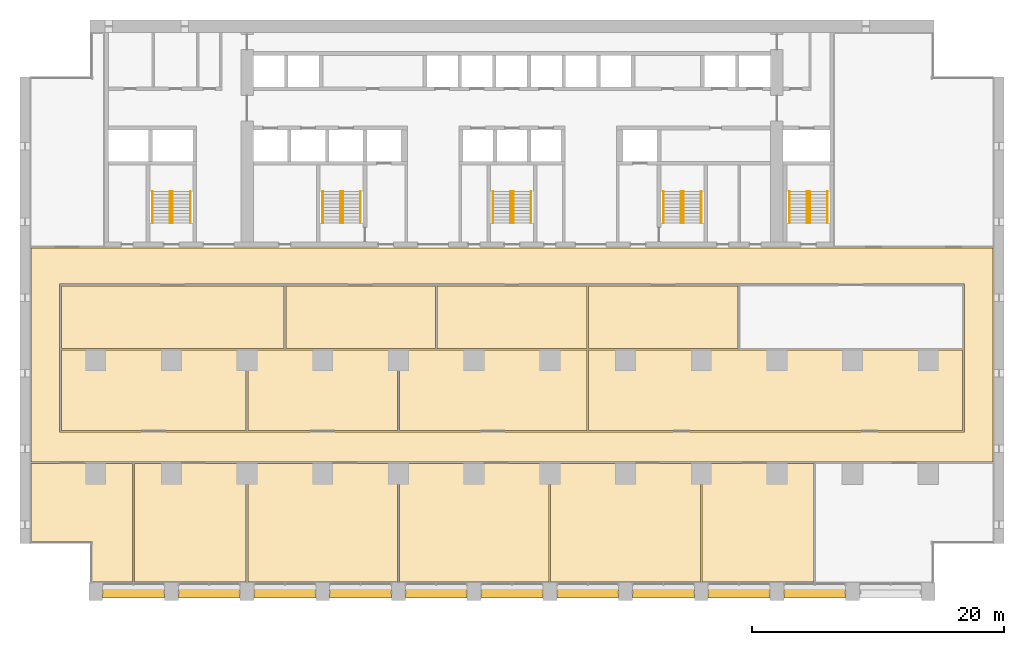
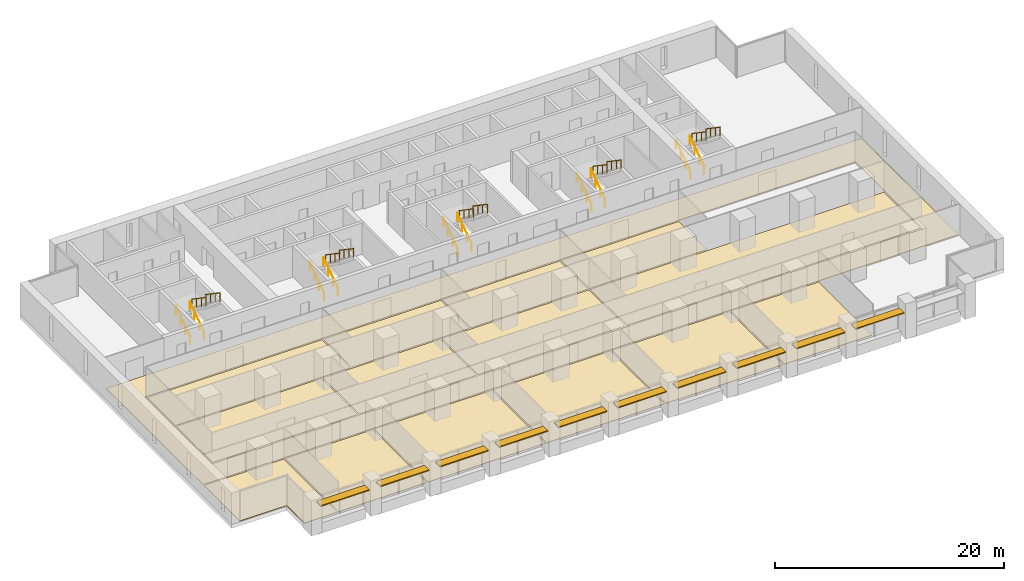
# One storey, part 17 of 18: 20 railings, 15 coverings, 10 shading devices, 5 elements without a shape of their own.
"""IFC4 building model written with IfcOpenShell, lengths in metres."""

from ifc_helpers import new_model, si_unit, direction, frame, origin, origin_2d, place, context, subcontext, project, spatial, polyline, rectangle, circle, outline, extrude, material, layer, layer_set, material_profile, profile_set, type_object, element, aggregate, save


model = new_model("IFC4")

# Units and contexts
model_context = context("Model", 3, precision=1e-05, world=origin(), true_north=direction((0.0, 1.0)))
body_context = subcontext(model_context, "Body", "Model", "MODEL_VIEW")
ifc_project = project(units=[si_unit("LENGTHUNIT", "METRE"), si_unit("AREAUNIT", "SQUARE_METRE"), si_unit("VOLUMEUNIT", "CUBIC_METRE"), si_unit("PLANEANGLEUNIT", "RADIAN"), si_unit("MASSUNIT", "GRAM", prefix="KILO")], contexts=[model_context])

# Site, building, storey
site_placement = place(None, origin())
site = spatial("IfcSite", under=ifc_project, at=site_placement, CompositionType="ELEMENT")
building_placement = place(site_placement, origin())
building = spatial("IfcBuilding", under=site, at=building_placement, Name="Calvaro Tower", CompositionType="ELEMENT")
storey_placement = place(building_placement, frame((0.0, 0.0, 56.25)))
storey = spatial("IfcBuildingStorey", under=building, at=storey_placement, Name="L13", CompositionType="ELEMENT", Elevation=56.25)

# Shading devices
ifc_material_1 = material(Name="Anodised aluminium", Category="aluminium")
ifc_material_profile = material_profile(ifc_material_1, rectangle(XDim=0.800048828125, YDim=0.10009765625, at=origin_2d()), Name="Brise-soleil blade 800 x 100")
ifc_profile_set = profile_set([ifc_material_profile], Name="Anodised aluminium")
shading_device_type = type_object("IfcShadingDeviceType", Name="Brise-soleil blade 800 x 100", PredefinedType="JALOUSIE", material=ifc_profile_set)
for number, where, z_axis, x_axis, name in (
    (1, (6.550048828125, 0.60009765625, 2.300048828125), (1.0, 0.0, 0.0), (0.0, 1.0, 0.0), "Brise-soleil blade 1"),
    (2, (12.550048828125, 0.60009765625, 2.300048828125), (1.0, 0.0, 0.0), (0.0, 1.0, 0.0), "Brise-soleil blade 2"),
    (3, (18.550048828125, 0.60009765625, 2.300048828125), (1.0, 0.0, 0.0), (0.0, 1.0, 0.0), "Brise-soleil blade 3"),
    (4, (24.550048828125, 0.60009765625, 2.300048828125), (1.0, 0.0, 0.0), (0.0, 1.0, 0.0), "Brise-soleil blade 4"),
    (5, (30.550048828125, 0.60009765625, 2.300048828125), (1.0, 0.0, 0.0), (0.0, 1.0, 0.0), "Brise-soleil blade 5"),
    (6, (36.550048828125, 0.60009765625, 2.300048828125), (1.0, 0.0, 0.0), (0.0, 1.0, 0.0), "Brise-soleil blade 6"),
    (7, (42.550048828125, 0.60009765625, 2.300048828125), (1.0, 0.0, 0.0), (0.0, 1.0, 0.0), "Brise-soleil blade 7"),
    (8, (48.550048828125, 0.60009765625, 2.300048828125), (1.0, 0.0, 0.0), (0.0, 1.0, 0.0), "Brise-soleil blade 8"),
    (9, (54.550048828125, 0.60009765625, 2.300048828125), (1.0, 0.0, 0.0), (0.0, 1.0, 0.0), "Brise-soleil blade 9"),
    (10, (60.550048828125, 0.60009765625, 2.300048828125), (1.0, 0.0, 0.0), (0.0, 1.0, 0.0), "Brise-soleil blade 10"),
):
    element("IfcShadingDevice", number, at=place(storey_placement, frame(where, z_axis=z_axis, x_axis=x_axis)), inside=storey, type_object=shading_device_type, Name=name, PredefinedType="JALOUSIE", context=body_context, shape_type="SweptSolid", body=[
        extrude(rectangle(XDim=0.800048828125, YDim=0.10009765625, at=origin_2d()), origin(), (0.0, 0.0, 1.0), 4.89990234375),
    ])

# Coverings
ifc_material_2 = material(Name="Cement screed with carpet tile finish")
ifc_layer = layer(ifc_material_2, 0.050048828125)
ifc_layer_set = layer_set([ifc_layer], Name="Cement screed with carpet tile finish")
covering_type = type_object("IfcCoveringType", Name="Floor finish 50", PredefinedType="FLOORING", material=ifc_layer_set)
covering_1_placement = place(storey_placement, origin())
element("IfcCovering", 11, at=covering_1_placement, inside=storey, type_object=covering_type, Name="Floor finish 11.01", PredefinedType="FLOORING", context=body_context, shape_type="SweptSolid", body=[
    extrude(outline(polyline([(0.8701171875, 10.969970703125), (0.8701171875, 27.929931640625), (77.1298828125, 27.929931640625), (77.1298828125, 10.969970703125), (0.8701171875, 10.969970703125)]), holes=[polyline([(74.8701171875, 13.330078125), (74.8701171875, 25.070068359375), (3.1298828125, 25.070068359375), (3.1298828125, 13.330078125), (74.8701171875, 13.330078125)])]), origin(), (0.0, 0.0, 1.0), 0.050048828125),
])
covering_2_placement = place(storey_placement, origin())
element("IfcCovering", 12, at=covering_2_placement, inside=storey, type_object=covering_type, Name="Floor finish 11.08", PredefinedType="FLOORING", context=body_context, shape_type="SweptSolid", body=[
    extrude(outline(polyline([(8.929931640625, 10.830078125), (8.929931640625, 1.469970703125), (5.6201171875, 1.469970703125), (5.6201171875, 4.570068359375), (0.8701171875, 4.570068359375), (0.8701171875, 10.830078125), (8.929931640625, 10.830078125)])), origin(), (0.0, 0.0, 1.0), 0.050048828125),
])
covering_3_placement = place(storey_placement, origin())
element("IfcCovering", 13, at=covering_3_placement, inside=storey, type_object=covering_type, Name="Floor finish 11.02", PredefinedType="FLOORING", context=body_context, shape_type="SweptSolid", body=[
    extrude(outline(polyline([(9.070068359375, 10.830078125), (17.929931640625, 10.830078125), (17.929931640625, 1.469970703125), (9.070068359375, 1.469970703125), (9.070068359375, 10.830078125)])), origin(), (0.0, 0.0, 1.0), 0.050048828125),
])
covering_4_placement = place(storey_placement, origin())
element("IfcCovering", 14, at=covering_4_placement, inside=storey, type_object=covering_type, Name="Floor finish 11.04", PredefinedType="FLOORING", context=body_context, shape_type="SweptSolid", body=[
    extrude(outline(polyline([(18.070068359375, 10.830078125), (29.929931640625, 10.830078125), (29.929931640625, 1.469970703125), (18.070068359375, 1.469970703125), (18.070068359375, 10.830078125)])), origin(), (0.0, 0.0, 1.0), 0.050048828125),
])
covering_5_placement = place(storey_placement, origin())
element("IfcCovering", 15, at=covering_5_placement, inside=storey, type_object=covering_type, Name="Floor finish 11.05", PredefinedType="FLOORING", context=body_context, shape_type="SweptSolid", body=[
    extrude(outline(polyline([(30.070068359375, 10.830078125), (41.929931640625, 10.830078125), (41.929931640625, 1.469970703125), (30.070068359375, 1.469970703125), (30.070068359375, 10.830078125)])), origin(), (0.0, 0.0, 1.0), 0.050048828125),
])
covering_6_placement = place(storey_placement, origin())
element("IfcCovering", 16, at=covering_6_placement, inside=storey, type_object=covering_type, Name="Floor finish 11.06", PredefinedType="FLOORING", context=body_context, shape_type="SweptSolid", body=[
    extrude(outline(polyline([(42.070068359375, 10.830078125), (53.929931640625, 10.830078125), (53.929931640625, 1.469970703125), (42.070068359375, 1.469970703125), (42.070068359375, 10.830078125)])), origin(), (0.0, 0.0, 1.0), 0.050048828125),
])
covering_7_placement = place(storey_placement, origin())
element("IfcCovering", 17, at=covering_7_placement, inside=storey, type_object=covering_type, Name="Floor finish 11.03", PredefinedType="FLOORING", context=body_context, shape_type="SweptSolid", body=[
    extrude(outline(polyline([(54.070068359375, 10.830078125), (62.929931640625, 10.830078125), (62.929931640625, 1.469970703125), (54.070068359375, 1.469970703125), (54.070068359375, 10.830078125)])), origin(), (0.0, 0.0, 1.0), 0.050048828125),
])
covering_8_placement = place(storey_placement, origin())
element("IfcCovering", 18, at=covering_8_placement, inside=storey, type_object=covering_type, Name="Floor finish 11.09", PredefinedType="FLOORING", context=body_context, shape_type="SweptSolid", body=[
    extrude(outline(polyline([(3.27001953125, 13.469970703125), (3.27001953125, 19.830078125), (17.929931640625, 19.830078125), (17.929931640625, 13.469970703125), (3.27001953125, 13.469970703125)])), origin(), (0.0, 0.0, 1.0), 0.050048828125),
])
covering_9_placement = place(storey_placement, origin())
element("IfcCovering", 19, at=covering_9_placement, inside=storey, type_object=covering_type, Name="Floor finish 11.12", PredefinedType="FLOORING", context=body_context, shape_type="SweptSolid", body=[
    extrude(outline(polyline([(18.070068359375, 13.469970703125), (18.070068359375, 19.830078125), (29.929931640625, 19.830078125), (29.929931640625, 13.469970703125), (18.070068359375, 13.469970703125)])), origin(), (0.0, 0.0, 1.0), 0.050048828125),
])
covering_10_placement = place(storey_placement, origin())
element("IfcCovering", 20, at=covering_10_placement, inside=storey, type_object=covering_type, Name="Floor finish 11.10", PredefinedType="FLOORING", context=body_context, shape_type="SweptSolid", body=[
    extrude(outline(polyline([(30.070068359375, 13.469970703125), (30.070068359375, 19.830078125), (44.929931640625, 19.830078125), (44.929931640625, 13.469970703125), (30.070068359375, 13.469970703125)])), origin(), (0.0, 0.0, 1.0), 0.050048828125),
])
covering_11_placement = place(storey_placement, origin())
element("IfcCovering", 21, at=covering_11_placement, inside=storey, type_object=covering_type, Name="Floor finish 11.11", PredefinedType="FLOORING", context=body_context, shape_type="SweptSolid", body=[
    extrude(outline(polyline([(45.070068359375, 13.469970703125), (45.070068359375, 19.830078125), (74.72998046875, 19.830078125), (74.72998046875, 13.469970703125), (45.070068359375, 13.469970703125)])), origin(), (0.0, 0.0, 1.0), 0.050048828125),
])
covering_12_placement = place(storey_placement, origin())
element("IfcCovering", 22, at=covering_12_placement, inside=storey, type_object=covering_type, Name="Floor finish 11.13", PredefinedType="FLOORING", context=body_context, shape_type="SweptSolid", body=[
    extrude(outline(polyline([(3.27001953125, 19.969970703125), (3.27001953125, 24.929931640625), (20.929931640625, 24.929931640625), (20.929931640625, 19.969970703125), (3.27001953125, 19.969970703125)])), origin(), (0.0, 0.0, 1.0), 0.050048828125),
])
covering_13_placement = place(storey_placement, origin())
element("IfcCovering", 23, at=covering_13_placement, inside=storey, type_object=covering_type, Name="Floor finish 11.15", PredefinedType="FLOORING", context=body_context, shape_type="SweptSolid", body=[
    extrude(outline(polyline([(21.070068359375, 19.969970703125), (21.070068359375, 24.929931640625), (32.929931640625, 24.929931640625), (32.929931640625, 19.969970703125), (21.070068359375, 19.969970703125)])), origin(), (0.0, 0.0, 1.0), 0.050048828125),
])
covering_14_placement = place(storey_placement, origin())
element("IfcCovering", 24, at=covering_14_placement, inside=storey, type_object=covering_type, Name="Floor finish 11.16", PredefinedType="FLOORING", context=body_context, shape_type="SweptSolid", body=[
    extrude(outline(polyline([(33.070068359375, 19.969970703125), (33.070068359375, 24.929931640625), (44.929931640625, 24.929931640625), (44.929931640625, 19.969970703125), (33.070068359375, 19.969970703125)])), origin(), (0.0, 0.0, 1.0), 0.050048828125),
])
covering_15_placement = place(storey_placement, origin())
element("IfcCovering", 25, at=covering_15_placement, inside=storey, type_object=covering_type, Name="Floor finish 11.17", PredefinedType="FLOORING", context=body_context, shape_type="SweptSolid", body=[
    extrude(outline(polyline([(45.070068359375, 19.969970703125), (45.070068359375, 24.929931640625), (56.929931640625, 24.929931640625), (56.929931640625, 19.969970703125), (45.070068359375, 19.969970703125)])), origin(), (0.0, 0.0, 1.0), 0.050048828125),
])

# Stair, railings
ifc_material_3 = material(Name="Concrete C40/50", Category="concrete")
stair_type = type_object("IfcStairType", Name="Exit stair 1400 2 flights", PredefinedType="HALF_TURN_STAIR", material=ifc_material_3)
stair_1_placement = place(storey_placement, origin())
stair_1 = element("IfcStair", 26, at=stair_1_placement, inside=storey, type_object=stair_type, Name="Exit stair S1", PredefinedType="HALF_TURN_STAIR")
ifc_material_4 = material(Name="Stainless steel", Category="steel")
railing_type = type_object("IfcRailingType", Name="Stair handrail", PredefinedType="HANDRAIL", material=ifc_material_4)
railing_1_placement = place(storey_placement, frame((11.89990234375, 29.89990234375, 0.17041015625)))
railing_1 = element("IfcRailing", 27, at=railing_1_placement, type_object=railing_type, Name="Exit stair 1 handrail", PredefinedType="HANDRAIL", context=body_context, shape_type="SweptSolid", body=[
    extrude(circle(Radius=0.02392578125, at=origin_2d()), frame((0.0, 0.0, 0.8759765625), z_axis=(0.0, 0.826220514629, 0.563346839174), x_axis=(-1.0, 0.0, 0.0)), (0.0, 0.0, 1.0), 3.02587890625),
    extrude(circle(Radius=0.02099609375, at=origin_2d()), frame((0.0, 0.017333984375, 0.01171875)), (0.0, 0.0, 1.0), 0.851806640625),
    extrude(circle(Radius=0.02099609375, at=origin_2d()), frame((0.0, 0.833251953125, 0.568115234375)), (0.0, 0.0, 1.0), 0.851806640625),
    extrude(circle(Radius=0.02099609375, at=origin_2d()), frame((0.0, 1.666748046875, 1.136474609375)), (0.0, 0.0, 1.0), 0.851806640625),
    extrude(circle(Radius=0.02099609375, at=origin_2d()), frame((0.0, 2.482666015625, 1.69287109375)), (0.0, 0.0, 1.0), 0.851806640625),
])
railing_2_placement = place(storey_placement, frame((10.5, 29.89990234375, 0.17041015625)))
railing_2 = element("IfcRailing", 28, at=railing_2_placement, type_object=railing_type, Name="Exit stair 1 handrail", PredefinedType="HANDRAIL", context=body_context, shape_type="SweptSolid", body=[
    extrude(circle(Radius=0.02392578125, at=origin_2d()), frame((0.0, 0.0, 0.8759765625), z_axis=(0.0, 0.826220514629, 0.563346839174), x_axis=(-1.0, 0.0, 0.0)), (0.0, 0.0, 1.0), 3.02587890625),
    extrude(circle(Radius=0.02099609375, at=origin_2d()), frame((0.0, 0.017333984375, 0.01171875)), (0.0, 0.0, 1.0), 0.851806640625),
    extrude(circle(Radius=0.02099609375, at=origin_2d()), frame((0.0, 0.833251953125, 0.568115234375)), (0.0, 0.0, 1.0), 0.851806640625),
    extrude(circle(Radius=0.02099609375, at=origin_2d()), frame((0.0, 1.666748046875, 1.136474609375)), (0.0, 0.0, 1.0), 0.851806640625),
    extrude(circle(Radius=0.02099609375, at=origin_2d()), frame((0.0, 2.482666015625, 1.69287109375)), (0.0, 0.0, 1.0), 0.851806640625),
])
railing_3_placement = place(storey_placement, frame((12.10009765625, 32.39990234375, 2.04541015625)))
railing_3 = element("IfcRailing", 29, at=railing_3_placement, type_object=railing_type, Name="Exit stair 1 handrail", PredefinedType="HANDRAIL", context=body_context, shape_type="SweptSolid", body=[
    extrude(circle(Radius=0.02392578125, at=origin_2d()), frame((0.0, 0.0, 0.8759765625), z_axis=(0.0, -0.826220514629, 0.563346839174), x_axis=(1.0, 0.0, 0.0)), (0.0, 0.0, 1.0), 3.02587890625),
    extrude(circle(Radius=0.02099609375, at=origin_2d()), frame((0.0, -0.017333984375, 0.01171875)), (0.0, 0.0, 1.0), 0.851806640625),
    extrude(circle(Radius=0.02099609375, at=origin_2d()), frame((0.0, -0.833251953125, 0.568115234375)), (0.0, 0.0, 1.0), 0.851806640625),
    extrude(circle(Radius=0.02099609375, at=origin_2d()), frame((0.0, -1.666748046875, 1.136474609375)), (0.0, 0.0, 1.0), 0.851806640625),
    extrude(circle(Radius=0.02099609375, at=origin_2d()), frame((0.0, -2.482666015625, 1.69287109375)), (0.0, 0.0, 1.0), 0.851806640625),
])
railing_4_placement = place(storey_placement, frame((13.5, 32.39990234375, 2.04541015625)))
railing_4 = element("IfcRailing", 30, at=railing_4_placement, type_object=railing_type, Name="Exit stair 1 handrail", PredefinedType="HANDRAIL", context=body_context, shape_type="SweptSolid", body=[
    extrude(circle(Radius=0.02392578125, at=origin_2d()), frame((0.0, 0.0, 0.8759765625), z_axis=(0.0, -0.826220514629, 0.563346839174), x_axis=(1.0, 0.0, 0.0)), (0.0, 0.0, 1.0), 3.02587890625),
    extrude(circle(Radius=0.02099609375, at=origin_2d()), frame((0.0, -0.017333984375, 0.01171875)), (0.0, 0.0, 1.0), 0.851806640625),
    extrude(circle(Radius=0.02099609375, at=origin_2d()), frame((0.0, -0.833251953125, 0.568115234375)), (0.0, 0.0, 1.0), 0.851806640625),
    extrude(circle(Radius=0.02099609375, at=origin_2d()), frame((0.0, -1.666748046875, 1.136474609375)), (0.0, 0.0, 1.0), 0.851806640625),
    extrude(circle(Radius=0.02099609375, at=origin_2d()), frame((0.0, -2.482666015625, 1.69287109375)), (0.0, 0.0, 1.0), 0.851806640625),
])
aggregate(stair_1, [railing_1, railing_2, railing_3, railing_4])

stair_2_placement = place(storey_placement, origin())
stair_2 = element("IfcStair", 31, at=stair_2_placement, inside=storey, type_object=stair_type, Name="Exit stair S2", PredefinedType="HALF_TURN_STAIR")
railing_5_placement = place(storey_placement, frame((25.39990234375, 29.89990234375, 0.17041015625)))
railing_5 = element("IfcRailing", 32, at=railing_5_placement, type_object=railing_type, Name="Exit stair 2 handrail", PredefinedType="HANDRAIL", context=body_context, shape_type="SweptSolid", body=[
    extrude(circle(Radius=0.02392578125, at=origin_2d()), frame((0.0, 0.0, 0.8759765625), z_axis=(0.0, 0.826220514629, 0.563346839174), x_axis=(-1.0, 0.0, 0.0)), (0.0, 0.0, 1.0), 3.02587890625),
    extrude(circle(Radius=0.02099609375, at=origin_2d()), frame((0.0, 0.017333984375, 0.01171875)), (0.0, 0.0, 1.0), 0.851806640625),
    extrude(circle(Radius=0.02099609375, at=origin_2d()), frame((0.0, 0.833251953125, 0.568115234375)), (0.0, 0.0, 1.0), 0.851806640625),
    extrude(circle(Radius=0.02099609375, at=origin_2d()), frame((0.0, 1.666748046875, 1.136474609375)), (0.0, 0.0, 1.0), 0.851806640625),
    extrude(circle(Radius=0.02099609375, at=origin_2d()), frame((0.0, 2.482666015625, 1.69287109375)), (0.0, 0.0, 1.0), 0.851806640625),
])
railing_6_placement = place(storey_placement, frame((24.0, 29.89990234375, 0.17041015625)))
railing_6 = element("IfcRailing", 33, at=railing_6_placement, type_object=railing_type, Name="Exit stair 2 handrail", PredefinedType="HANDRAIL", context=body_context, shape_type="SweptSolid", body=[
    extrude(circle(Radius=0.02392578125, at=origin_2d()), frame((0.0, 0.0, 0.8759765625), z_axis=(0.0, 0.826220514629, 0.563346839174), x_axis=(-1.0, 0.0, 0.0)), (0.0, 0.0, 1.0), 3.02587890625),
    extrude(circle(Radius=0.02099609375, at=origin_2d()), frame((0.0, 0.017333984375, 0.01171875)), (0.0, 0.0, 1.0), 0.851806640625),
    extrude(circle(Radius=0.02099609375, at=origin_2d()), frame((0.0, 0.833251953125, 0.568115234375)), (0.0, 0.0, 1.0), 0.851806640625),
    extrude(circle(Radius=0.02099609375, at=origin_2d()), frame((0.0, 1.666748046875, 1.136474609375)), (0.0, 0.0, 1.0), 0.851806640625),
    extrude(circle(Radius=0.02099609375, at=origin_2d()), frame((0.0, 2.482666015625, 1.69287109375)), (0.0, 0.0, 1.0), 0.851806640625),
])
railing_7_placement = place(storey_placement, frame((25.60009765625, 32.39990234375, 2.04541015625)))
railing_7 = element("IfcRailing", 34, at=railing_7_placement, type_object=railing_type, Name="Exit stair 2 handrail", PredefinedType="HANDRAIL", context=body_context, shape_type="SweptSolid", body=[
    extrude(circle(Radius=0.02392578125, at=origin_2d()), frame((0.0, 0.0, 0.8759765625), z_axis=(0.0, -0.826220514629, 0.563346839174), x_axis=(1.0, 0.0, 0.0)), (0.0, 0.0, 1.0), 3.02587890625),
    extrude(circle(Radius=0.02099609375, at=origin_2d()), frame((0.0, -0.017333984375, 0.01171875)), (0.0, 0.0, 1.0), 0.851806640625),
    extrude(circle(Radius=0.02099609375, at=origin_2d()), frame((0.0, -0.833251953125, 0.568115234375)), (0.0, 0.0, 1.0), 0.851806640625),
    extrude(circle(Radius=0.02099609375, at=origin_2d()), frame((0.0, -1.666748046875, 1.136474609375)), (0.0, 0.0, 1.0), 0.851806640625),
    extrude(circle(Radius=0.02099609375, at=origin_2d()), frame((0.0, -2.482666015625, 1.69287109375)), (0.0, 0.0, 1.0), 0.851806640625),
])
railing_8_placement = place(storey_placement, frame((27.0, 32.39990234375, 2.04541015625)))
railing_8 = element("IfcRailing", 35, at=railing_8_placement, type_object=railing_type, Name="Exit stair 2 handrail", PredefinedType="HANDRAIL", context=body_context, shape_type="SweptSolid", body=[
    extrude(circle(Radius=0.02392578125, at=origin_2d()), frame((0.0, 0.0, 0.8759765625), z_axis=(0.0, -0.826220514629, 0.563346839174), x_axis=(1.0, 0.0, 0.0)), (0.0, 0.0, 1.0), 3.02587890625),
    extrude(circle(Radius=0.02099609375, at=origin_2d()), frame((0.0, -0.017333984375, 0.01171875)), (0.0, 0.0, 1.0), 0.851806640625),
    extrude(circle(Radius=0.02099609375, at=origin_2d()), frame((0.0, -0.833251953125, 0.568115234375)), (0.0, 0.0, 1.0), 0.851806640625),
    extrude(circle(Radius=0.02099609375, at=origin_2d()), frame((0.0, -1.666748046875, 1.136474609375)), (0.0, 0.0, 1.0), 0.851806640625),
    extrude(circle(Radius=0.02099609375, at=origin_2d()), frame((0.0, -2.482666015625, 1.69287109375)), (0.0, 0.0, 1.0), 0.851806640625),
])
aggregate(stair_2, [railing_5, railing_6, railing_7, railing_8])

stair_3_placement = place(storey_placement, origin())
stair_3 = element("IfcStair", 36, at=stair_3_placement, inside=storey, type_object=stair_type, Name="Exit stair S3", PredefinedType="HALF_TURN_STAIR")
railing_9_placement = place(storey_placement, frame((38.89990234375, 29.89990234375, 0.17041015625)))
railing_9 = element("IfcRailing", 37, at=railing_9_placement, type_object=railing_type, Name="Exit stair 3 handrail", PredefinedType="HANDRAIL", context=body_context, shape_type="SweptSolid", body=[
    extrude(circle(Radius=0.02392578125, at=origin_2d()), frame((0.0, 0.0, 0.8759765625), z_axis=(0.0, 0.826220514629, 0.563346839174), x_axis=(-1.0, 0.0, 0.0)), (0.0, 0.0, 1.0), 3.02587890625),
    extrude(circle(Radius=0.02099609375, at=origin_2d()), frame((0.0, 0.017333984375, 0.01171875)), (0.0, 0.0, 1.0), 0.851806640625),
    extrude(circle(Radius=0.02099609375, at=origin_2d()), frame((0.0, 0.833251953125, 0.568115234375)), (0.0, 0.0, 1.0), 0.851806640625),
    extrude(circle(Radius=0.02099609375, at=origin_2d()), frame((0.0, 1.666748046875, 1.136474609375)), (0.0, 0.0, 1.0), 0.851806640625),
    extrude(circle(Radius=0.02099609375, at=origin_2d()), frame((0.0, 2.482666015625, 1.69287109375)), (0.0, 0.0, 1.0), 0.851806640625),
])
railing_10_placement = place(storey_placement, frame((37.5, 29.89990234375, 0.17041015625)))
railing_10 = element("IfcRailing", 38, at=railing_10_placement, type_object=railing_type, Name="Exit stair 3 handrail", PredefinedType="HANDRAIL", context=body_context, shape_type="SweptSolid", body=[
    extrude(circle(Radius=0.02392578125, at=origin_2d()), frame((0.0, 0.0, 0.8759765625), z_axis=(0.0, 0.826220514629, 0.563346839174), x_axis=(-1.0, 0.0, 0.0)), (0.0, 0.0, 1.0), 3.02587890625),
    extrude(circle(Radius=0.02099609375, at=origin_2d()), frame((0.0, 0.017333984375, 0.01171875)), (0.0, 0.0, 1.0), 0.851806640625),
    extrude(circle(Radius=0.02099609375, at=origin_2d()), frame((0.0, 0.833251953125, 0.568115234375)), (0.0, 0.0, 1.0), 0.851806640625),
    extrude(circle(Radius=0.02099609375, at=origin_2d()), frame((0.0, 1.666748046875, 1.136474609375)), (0.0, 0.0, 1.0), 0.851806640625),
    extrude(circle(Radius=0.02099609375, at=origin_2d()), frame((0.0, 2.482666015625, 1.69287109375)), (0.0, 0.0, 1.0), 0.851806640625),
])
railing_11_placement = place(storey_placement, frame((39.10009765625, 32.39990234375, 2.04541015625)))
railing_11 = element("IfcRailing", 39, at=railing_11_placement, type_object=railing_type, Name="Exit stair 3 handrail", PredefinedType="HANDRAIL", context=body_context, shape_type="SweptSolid", body=[
    extrude(circle(Radius=0.02392578125, at=origin_2d()), frame((0.0, 0.0, 0.8759765625), z_axis=(0.0, -0.826220514629, 0.563346839174), x_axis=(1.0, 0.0, 0.0)), (0.0, 0.0, 1.0), 3.02587890625),
    extrude(circle(Radius=0.02099609375, at=origin_2d()), frame((0.0, -0.017333984375, 0.01171875)), (0.0, 0.0, 1.0), 0.851806640625),
    extrude(circle(Radius=0.02099609375, at=origin_2d()), frame((0.0, -0.833251953125, 0.568115234375)), (0.0, 0.0, 1.0), 0.851806640625),
    extrude(circle(Radius=0.02099609375, at=origin_2d()), frame((0.0, -1.666748046875, 1.136474609375)), (0.0, 0.0, 1.0), 0.851806640625),
    extrude(circle(Radius=0.02099609375, at=origin_2d()), frame((0.0, -2.482666015625, 1.69287109375)), (0.0, 0.0, 1.0), 0.851806640625),
])
railing_12_placement = place(storey_placement, frame((40.5, 32.39990234375, 2.04541015625)))
railing_12 = element("IfcRailing", 40, at=railing_12_placement, type_object=railing_type, Name="Exit stair 3 handrail", PredefinedType="HANDRAIL", context=body_context, shape_type="SweptSolid", body=[
    extrude(circle(Radius=0.02392578125, at=origin_2d()), frame((0.0, 0.0, 0.8759765625), z_axis=(0.0, -0.826220514629, 0.563346839174), x_axis=(1.0, 0.0, 0.0)), (0.0, 0.0, 1.0), 3.02587890625),
    extrude(circle(Radius=0.02099609375, at=origin_2d()), frame((0.0, -0.017333984375, 0.01171875)), (0.0, 0.0, 1.0), 0.851806640625),
    extrude(circle(Radius=0.02099609375, at=origin_2d()), frame((0.0, -0.833251953125, 0.568115234375)), (0.0, 0.0, 1.0), 0.851806640625),
    extrude(circle(Radius=0.02099609375, at=origin_2d()), frame((0.0, -1.666748046875, 1.136474609375)), (0.0, 0.0, 1.0), 0.851806640625),
    extrude(circle(Radius=0.02099609375, at=origin_2d()), frame((0.0, -2.482666015625, 1.69287109375)), (0.0, 0.0, 1.0), 0.851806640625),
])
aggregate(stair_3, [railing_9, railing_10, railing_11, railing_12])

stair_4_placement = place(storey_placement, origin())
stair_4 = element("IfcStair", 41, at=stair_4_placement, inside=storey, type_object=stair_type, Name="Exit stair S4", PredefinedType="HALF_TURN_STAIR")
railing_13_placement = place(storey_placement, frame((52.39990234375, 29.89990234375, 0.17041015625)))
railing_13 = element("IfcRailing", 42, at=railing_13_placement, type_object=railing_type, Name="Exit stair 4 handrail", PredefinedType="HANDRAIL", context=body_context, shape_type="SweptSolid", body=[
    extrude(circle(Radius=0.02392578125, at=origin_2d()), frame((0.0, 0.0, 0.8759765625), z_axis=(0.0, 0.826220514629, 0.563346839174), x_axis=(-1.0, 0.0, 0.0)), (0.0, 0.0, 1.0), 3.02587890625),
    extrude(circle(Radius=0.02099609375, at=origin_2d()), frame((0.0, 0.017333984375, 0.01171875)), (0.0, 0.0, 1.0), 0.851806640625),
    extrude(circle(Radius=0.02099609375, at=origin_2d()), frame((0.0, 0.833251953125, 0.568115234375)), (0.0, 0.0, 1.0), 0.851806640625),
    extrude(circle(Radius=0.02099609375, at=origin_2d()), frame((0.0, 1.666748046875, 1.136474609375)), (0.0, 0.0, 1.0), 0.851806640625),
    extrude(circle(Radius=0.02099609375, at=origin_2d()), frame((0.0, 2.482666015625, 1.69287109375)), (0.0, 0.0, 1.0), 0.851806640625),
])
railing_14_placement = place(storey_placement, frame((51.0, 29.89990234375, 0.17041015625)))
railing_14 = element("IfcRailing", 43, at=railing_14_placement, type_object=railing_type, Name="Exit stair 4 handrail", PredefinedType="HANDRAIL", context=body_context, shape_type="SweptSolid", body=[
    extrude(circle(Radius=0.02392578125, at=origin_2d()), frame((0.0, 0.0, 0.8759765625), z_axis=(0.0, 0.826220514629, 0.563346839174), x_axis=(-1.0, 0.0, 0.0)), (0.0, 0.0, 1.0), 3.02587890625),
    extrude(circle(Radius=0.02099609375, at=origin_2d()), frame((0.0, 0.017333984375, 0.01171875)), (0.0, 0.0, 1.0), 0.851806640625),
    extrude(circle(Radius=0.02099609375, at=origin_2d()), frame((0.0, 0.833251953125, 0.568115234375)), (0.0, 0.0, 1.0), 0.851806640625),
    extrude(circle(Radius=0.02099609375, at=origin_2d()), frame((0.0, 1.666748046875, 1.136474609375)), (0.0, 0.0, 1.0), 0.851806640625),
    extrude(circle(Radius=0.02099609375, at=origin_2d()), frame((0.0, 2.482666015625, 1.69287109375)), (0.0, 0.0, 1.0), 0.851806640625),
])
railing_15_placement = place(storey_placement, frame((52.60009765625, 32.39990234375, 2.04541015625)))
railing_15 = element("IfcRailing", 44, at=railing_15_placement, type_object=railing_type, Name="Exit stair 4 handrail", PredefinedType="HANDRAIL", context=body_context, shape_type="SweptSolid", body=[
    extrude(circle(Radius=0.02392578125, at=origin_2d()), frame((0.0, 0.0, 0.8759765625), z_axis=(0.0, -0.826220514629, 0.563346839174), x_axis=(1.0, 0.0, 0.0)), (0.0, 0.0, 1.0), 3.02587890625),
    extrude(circle(Radius=0.02099609375, at=origin_2d()), frame((0.0, -0.017333984375, 0.01171875)), (0.0, 0.0, 1.0), 0.851806640625),
    extrude(circle(Radius=0.02099609375, at=origin_2d()), frame((0.0, -0.833251953125, 0.568115234375)), (0.0, 0.0, 1.0), 0.851806640625),
    extrude(circle(Radius=0.02099609375, at=origin_2d()), frame((0.0, -1.666748046875, 1.136474609375)), (0.0, 0.0, 1.0), 0.851806640625),
    extrude(circle(Radius=0.02099609375, at=origin_2d()), frame((0.0, -2.482666015625, 1.69287109375)), (0.0, 0.0, 1.0), 0.851806640625),
])
railing_16_placement = place(storey_placement, frame((54.0, 32.39990234375, 2.04541015625)))
railing_16 = element("IfcRailing", 45, at=railing_16_placement, type_object=railing_type, Name="Exit stair 4 handrail", PredefinedType="HANDRAIL", context=body_context, shape_type="SweptSolid", body=[
    extrude(circle(Radius=0.02392578125, at=origin_2d()), frame((0.0, 0.0, 0.8759765625), z_axis=(0.0, -0.826220514629, 0.563346839174), x_axis=(1.0, 0.0, 0.0)), (0.0, 0.0, 1.0), 3.02587890625),
    extrude(circle(Radius=0.02099609375, at=origin_2d()), frame((0.0, -0.017333984375, 0.01171875)), (0.0, 0.0, 1.0), 0.851806640625),
    extrude(circle(Radius=0.02099609375, at=origin_2d()), frame((0.0, -0.833251953125, 0.568115234375)), (0.0, 0.0, 1.0), 0.851806640625),
    extrude(circle(Radius=0.02099609375, at=origin_2d()), frame((0.0, -1.666748046875, 1.136474609375)), (0.0, 0.0, 1.0), 0.851806640625),
    extrude(circle(Radius=0.02099609375, at=origin_2d()), frame((0.0, -2.482666015625, 1.69287109375)), (0.0, 0.0, 1.0), 0.851806640625),
])
aggregate(stair_4, [railing_13, railing_14, railing_15, railing_16])

stair_5_placement = place(storey_placement, origin())
stair_5 = element("IfcStair", 46, at=stair_5_placement, inside=storey, type_object=stair_type, Name="Exit stair S5", PredefinedType="HALF_TURN_STAIR")
railing_17_placement = place(storey_placement, frame((62.39990234375, 29.89990234375, 0.17041015625)))
railing_17 = element("IfcRailing", 47, at=railing_17_placement, type_object=railing_type, Name="Exit stair 5 handrail", PredefinedType="HANDRAIL", context=body_context, shape_type="SweptSolid", body=[
    extrude(circle(Radius=0.02392578125, at=origin_2d()), frame((0.0, 0.0, 0.8759765625), z_axis=(0.0, 0.826220514629, 0.563346839174), x_axis=(-1.0, 0.0, 0.0)), (0.0, 0.0, 1.0), 3.02587890625),
    extrude(circle(Radius=0.02099609375, at=origin_2d()), frame((0.0, 0.017333984375, 0.01171875)), (0.0, 0.0, 1.0), 0.851806640625),
    extrude(circle(Radius=0.02099609375, at=origin_2d()), frame((0.0, 0.833251953125, 0.568115234375)), (0.0, 0.0, 1.0), 0.851806640625),
    extrude(circle(Radius=0.02099609375, at=origin_2d()), frame((0.0, 1.666748046875, 1.136474609375)), (0.0, 0.0, 1.0), 0.851806640625),
    extrude(circle(Radius=0.02099609375, at=origin_2d()), frame((0.0, 2.482666015625, 1.69287109375)), (0.0, 0.0, 1.0), 0.851806640625),
])
railing_18_placement = place(storey_placement, frame((61.0, 29.89990234375, 0.17041015625)))
railing_18 = element("IfcRailing", 48, at=railing_18_placement, type_object=railing_type, Name="Exit stair 5 handrail", PredefinedType="HANDRAIL", context=body_context, shape_type="SweptSolid", body=[
    extrude(circle(Radius=0.02392578125, at=origin_2d()), frame((0.0, 0.0, 0.8759765625), z_axis=(0.0, 0.826220514629, 0.563346839174), x_axis=(-1.0, 0.0, 0.0)), (0.0, 0.0, 1.0), 3.02587890625),
    extrude(circle(Radius=0.02099609375, at=origin_2d()), frame((0.0, 0.017333984375, 0.01171875)), (0.0, 0.0, 1.0), 0.851806640625),
    extrude(circle(Radius=0.02099609375, at=origin_2d()), frame((0.0, 0.833251953125, 0.568115234375)), (0.0, 0.0, 1.0), 0.851806640625),
    extrude(circle(Radius=0.02099609375, at=origin_2d()), frame((0.0, 1.666748046875, 1.136474609375)), (0.0, 0.0, 1.0), 0.851806640625),
    extrude(circle(Radius=0.02099609375, at=origin_2d()), frame((0.0, 2.482666015625, 1.69287109375)), (0.0, 0.0, 1.0), 0.851806640625),
])
railing_19_placement = place(storey_placement, frame((62.60009765625, 32.39990234375, 2.04541015625)))
railing_19 = element("IfcRailing", 49, at=railing_19_placement, type_object=railing_type, Name="Exit stair 5 handrail", PredefinedType="HANDRAIL", context=body_context, shape_type="SweptSolid", body=[
    extrude(circle(Radius=0.02392578125, at=origin_2d()), frame((0.0, 0.0, 0.8759765625), z_axis=(0.0, -0.826220514629, 0.563346839174), x_axis=(1.0, 0.0, 0.0)), (0.0, 0.0, 1.0), 3.02587890625),
    extrude(circle(Radius=0.02099609375, at=origin_2d()), frame((0.0, -0.017333984375, 0.01171875)), (0.0, 0.0, 1.0), 0.851806640625),
    extrude(circle(Radius=0.02099609375, at=origin_2d()), frame((0.0, -0.833251953125, 0.568115234375)), (0.0, 0.0, 1.0), 0.851806640625),
    extrude(circle(Radius=0.02099609375, at=origin_2d()), frame((0.0, -1.666748046875, 1.136474609375)), (0.0, 0.0, 1.0), 0.851806640625),
    extrude(circle(Radius=0.02099609375, at=origin_2d()), frame((0.0, -2.482666015625, 1.69287109375)), (0.0, 0.0, 1.0), 0.851806640625),
])
railing_20_placement = place(storey_placement, frame((64.0, 32.39990234375, 2.04541015625)))
railing_20 = element("IfcRailing", 50, at=railing_20_placement, type_object=railing_type, Name="Exit stair 5 handrail", PredefinedType="HANDRAIL", context=body_context, shape_type="SweptSolid", body=[
    extrude(circle(Radius=0.02392578125, at=origin_2d()), frame((0.0, 0.0, 0.8759765625), z_axis=(0.0, -0.826220514629, 0.563346839174), x_axis=(1.0, 0.0, 0.0)), (0.0, 0.0, 1.0), 3.02587890625),
    extrude(circle(Radius=0.02099609375, at=origin_2d()), frame((0.0, -0.017333984375, 0.01171875)), (0.0, 0.0, 1.0), 0.851806640625),
    extrude(circle(Radius=0.02099609375, at=origin_2d()), frame((0.0, -0.833251953125, 0.568115234375)), (0.0, 0.0, 1.0), 0.851806640625),
    extrude(circle(Radius=0.02099609375, at=origin_2d()), frame((0.0, -1.666748046875, 1.136474609375)), (0.0, 0.0, 1.0), 0.851806640625),
    extrude(circle(Radius=0.02099609375, at=origin_2d()), frame((0.0, -2.482666015625, 1.69287109375)), (0.0, 0.0, 1.0), 0.851806640625),
])
aggregate(stair_5, [railing_17, railing_18, railing_19, railing_20])

save(model, "model.ifc")
